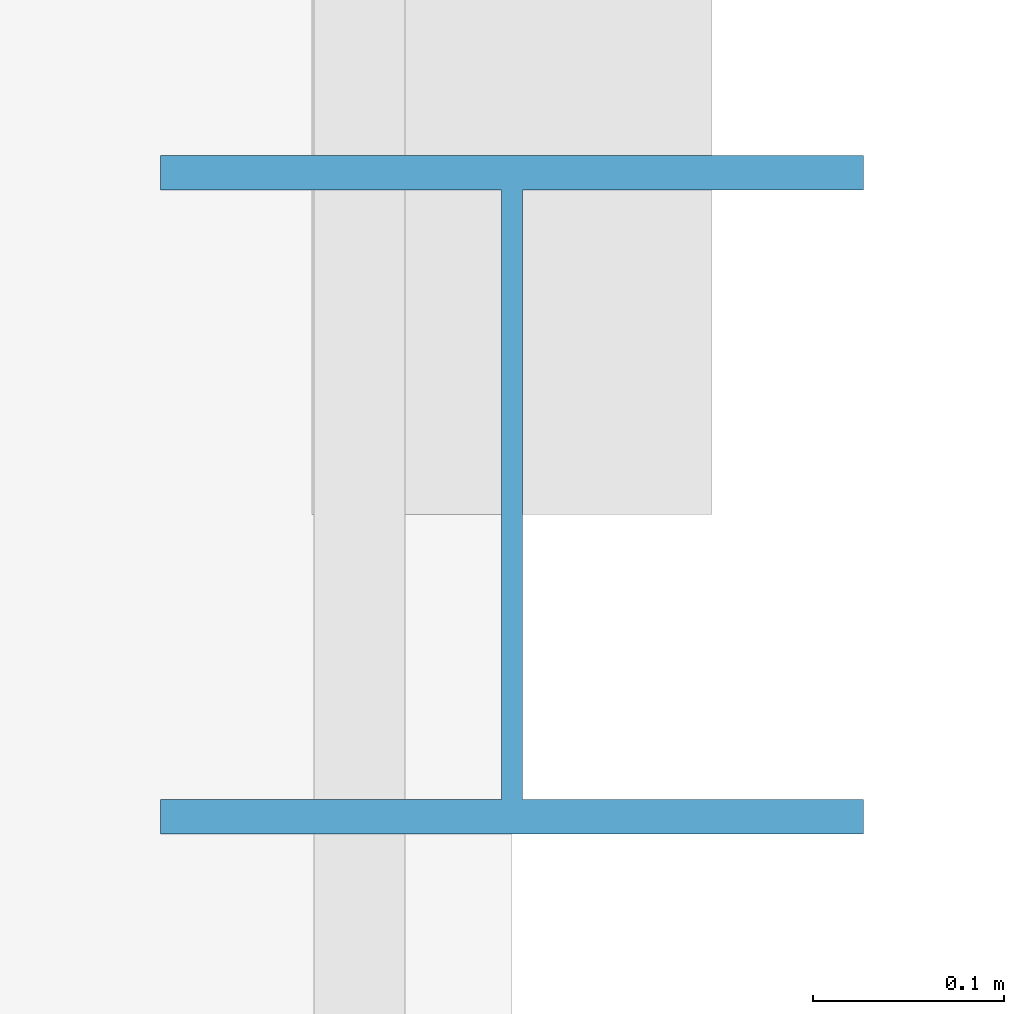
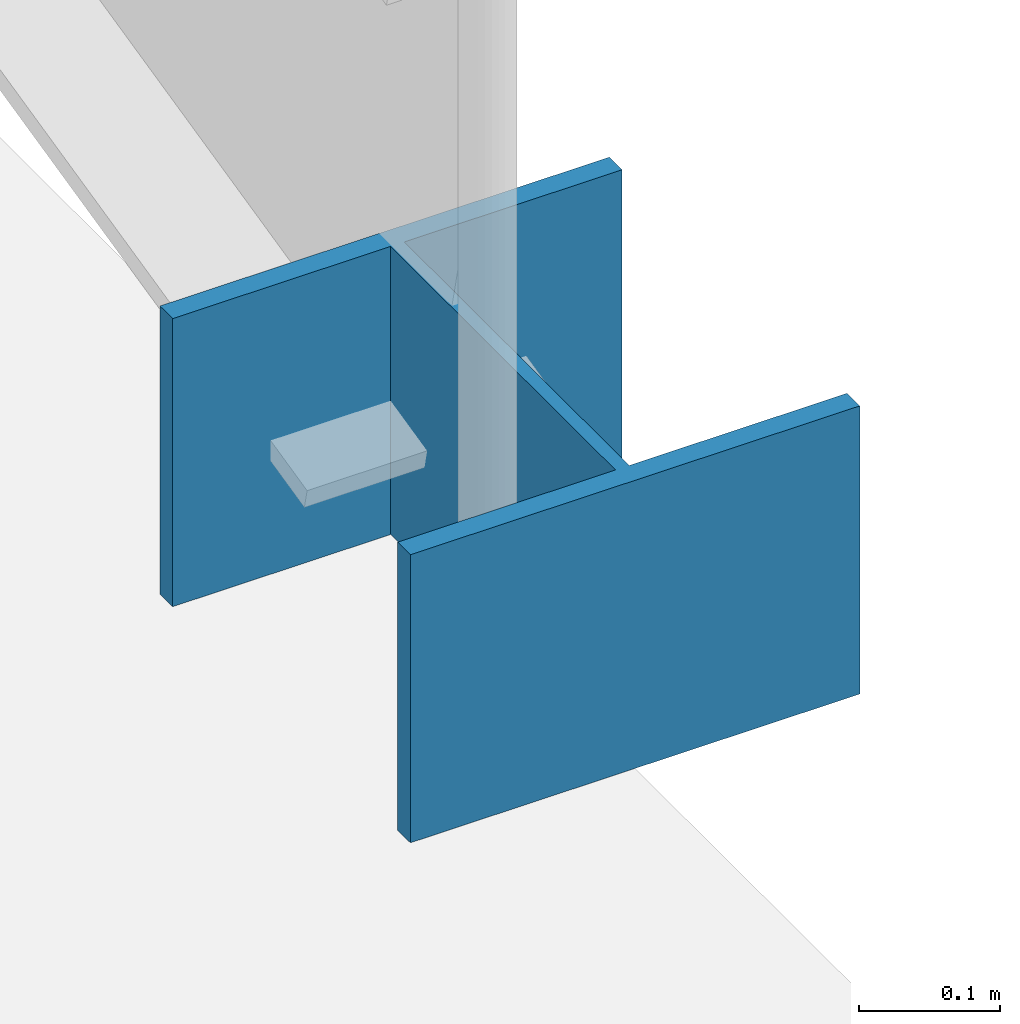
# One storey, part 13 of 83: 1 column.
"""IFC4 building model written with IfcOpenShell, lengths in metres."""

from ifc_helpers import new_model, si_unit, direction, frame, origin, origin_2d, place, context, subcontext, project, spatial, i_section, extrude, material, material_profile, profile_set, type_object, element, save


model = new_model("IFC4")

# Units and contexts
model_context = context("Model", 3, precision=1e-05, world=origin(), true_north=direction((0.0, 1.0)))
body_context = subcontext(model_context, "Body", "Model", "MODEL_VIEW")
ifc_project = project(units=[si_unit("LENGTHUNIT", "METRE"), si_unit("AREAUNIT", "SQUARE_METRE"), si_unit("VOLUMEUNIT", "CUBIC_METRE"), si_unit("PLANEANGLEUNIT", "RADIAN"), si_unit("MASSUNIT", "GRAM", prefix="KILO")], contexts=[model_context])

# Site, building, storey
site_placement = place(None, origin())
site = spatial("IfcSite", under=ifc_project, at=site_placement, CompositionType="ELEMENT")
building_placement = place(site_placement, origin())
building = spatial("IfcBuilding", under=site, at=building_placement, Name="Drelvath Fold Interchange", CompositionType="ELEMENT")
storey_placement = place(building_placement, frame((0.0, 0.0, 11.199951171875)))
storey = spatial("IfcBuildingStorey", under=building, at=storey_placement, Name="L02", CompositionType="ELEMENT", Elevation=11.199951171875)

# Column
ifc_material = material(Name="Steel ASTM A992 Grade 50", Category="steel")
ifc_material_profile = material_profile(ifc_material, i_section(OverallWidth=0.368896484375, OverallDepth=0.35595703125, WebThickness=0.01123046875, FlangeThickness=0.01806640625, at=origin_2d()), Name="W14X90")
ifc_profile_set = profile_set([ifc_material_profile], Name="Steel ASTM A992 Grade 50")
column_type = type_object("IfcColumnType", Name="COL-W14X90", PredefinedType="COLUMN", material=ifc_profile_set)
column_placement = place(storey_placement, frame((142.0, 99.0, 0.0), z_axis=(0.0, 0.0, 1.0), x_axis=(1.0, 0.0, 0.0)))
element("IfcColumn", 1, at=column_placement, inside=storey, type_object=column_type, Name="L02 column (142,99)", PredefinedType="COLUMN", context=body_context, shape_type="SweptSolid", body=[
    extrude(i_section(OverallWidth=0.368896484375, OverallDepth=0.35595703125, WebThickness=0.01123046875, FlangeThickness=0.01806640625, at=origin_2d()), origin(), (0.0, 0.0, 1.0), 0.25),
])

save(model, "model.ifc")
